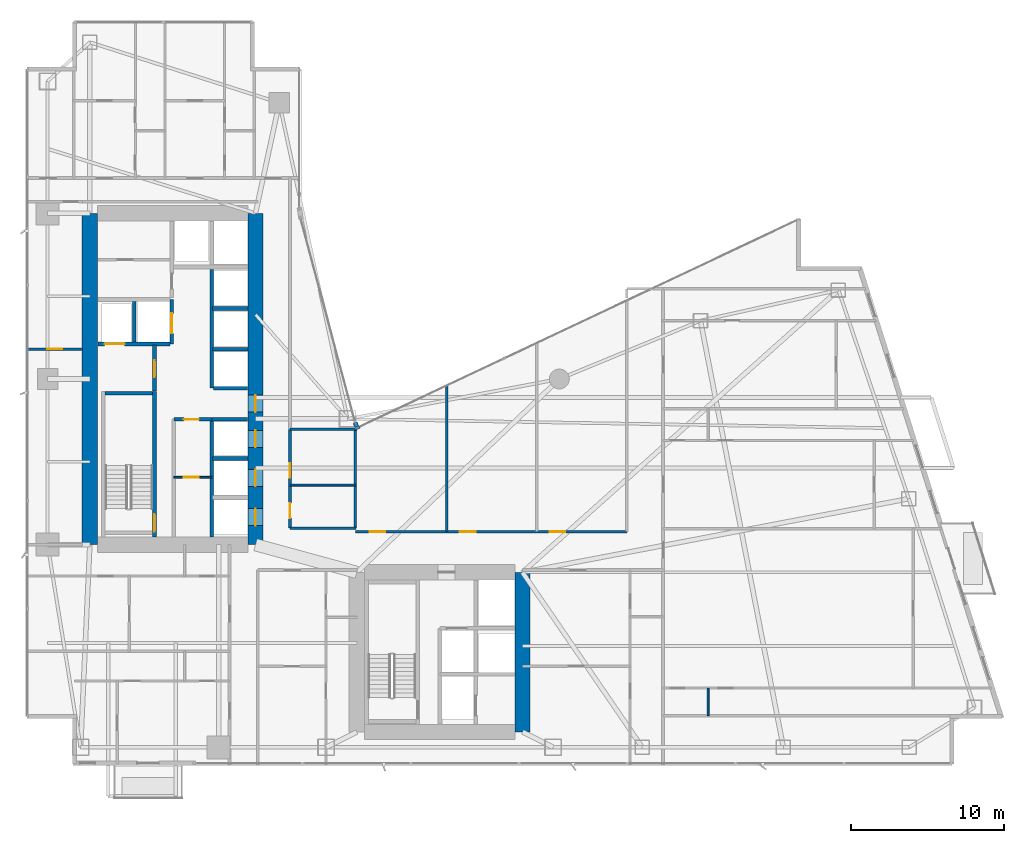
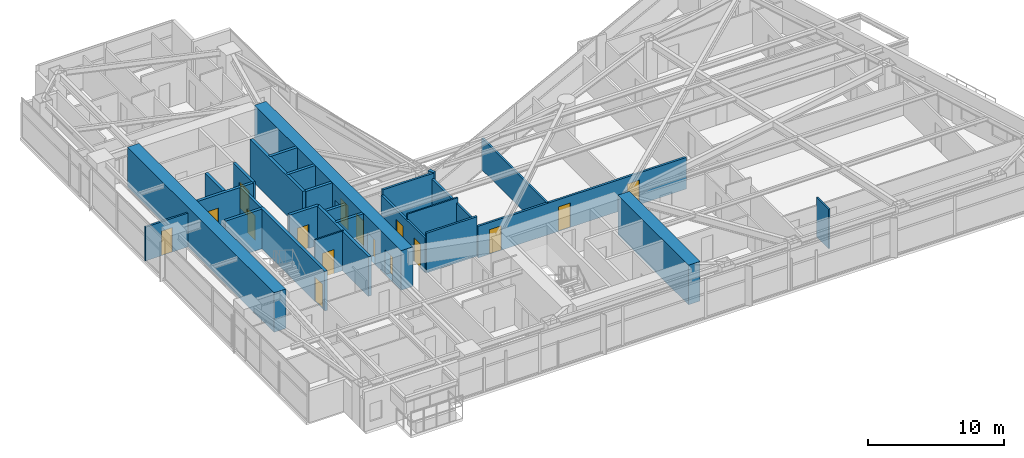
# One storey, part 23 of 29: 28 walls, 16 doors, 16 openings.
"""IFC4 building model written with IfcOpenShell, lengths in metres."""

from ifc_helpers import new_model, si_unit, direction, frame, frame_2d, origin, place, context, subcontext, project, spatial, rectangle, extrude, material, layer, layer_set, type_object, element, fill, save


model = new_model("IFC4")

# Units and contexts
model_context = context("Model", 3, precision=1e-05, world=origin(), true_north=direction((0.0, 1.0)))
body_context = subcontext(model_context, "Body", "Model", "MODEL_VIEW")
ifc_project = project(units=[si_unit("LENGTHUNIT", "METRE"), si_unit("AREAUNIT", "SQUARE_METRE"), si_unit("VOLUMEUNIT", "CUBIC_METRE"), si_unit("PLANEANGLEUNIT", "RADIAN"), si_unit("MASSUNIT", "GRAM", prefix="KILO")], contexts=[model_context])

# Site, building, storey
site_placement = place(None, origin())
site = spatial("IfcSite", under=ifc_project, at=site_placement, CompositionType="ELEMENT")
building_placement = place(site_placement, origin())
building = spatial("IfcBuilding", under=site, at=building_placement, Name="Calvorn Quay Hotel", CompositionType="ELEMENT")
storey_placement = place(building_placement, frame((0.0, 0.0, 62.199951171875)))
storey = spatial("IfcBuildingStorey", under=building, at=storey_placement, Name="L14", CompositionType="ELEMENT", Elevation=62.199951171875)

# Wall
ifc_material_1 = material(Name="Concrete C60", Category="concrete")
ifc_layer_1 = layer(ifc_material_1, 1.0)
ifc_layer_set_1 = layer_set([ifc_layer_1], Name="WL-CORE-1000")
wall_type_1 = type_object("IfcWallType", Name="WL-CORE-1000", PredefinedType="SHEAR", material=ifc_layer_set_1)
wall_1_placement = place(storey_placement, frame((4.199951171875, 16.800048828125, 0.0), z_axis=(0.0, 0.0, 1.0), x_axis=(0.0, 1.0, 0.0)))
element("IfcWall", 1, at=wall_1_placement, inside=storey, type_object=wall_type_1, Name="West Core Shear Wall W (L14)", PredefinedType="SHEAR", context=body_context, shape_type="SweptSolid", body=[
    extrude(rectangle(XDim=21.599853515625, YDim=1.0, at=frame_2d((10.7998046875, 0.0))), origin(), (0.0, 0.0, 1.0), 3.56005859375),
])

# Wall, openings, doors
wall_2_placement = place(storey_placement, frame((15.0, 16.800048828125, 0.0), z_axis=(0.0, 0.0, 1.0), x_axis=(0.0, 1.0, 0.0)))
wall_2 = element("IfcWall", 2, at=wall_2_placement, inside=storey, type_object=wall_type_1, Name="West Core Shear Wall E (L14)", PredefinedType="SHEAR", context=body_context, shape_type="SweptSolid", body=[
    extrude(rectangle(XDim=21.599853515625, YDim=1.0, at=frame_2d((10.7998046875, 0.0))), origin(), (0.0, 0.0, 1.0), 3.56005859375),
])
opening_1_placement = place(wall_2_placement, frame((8.64990234375, 0.0, 0.0)))
opening_1 = element("IfcOpeningElement", 3, at=opening_1_placement, cuts=wall_2, Name="Opening D-L14-CW1", PredefinedType="OPENING", context=body_context, shape_type="SweptSolid", body=[
    extrude(rectangle(XDim=1.10009765625, YDim=2.199951171875, at=frame_2d((0.550048828125, 1.10009765625))), frame((0.0, 0.510009765625, 0.0), z_axis=(0.0, -1.0, 0.0), x_axis=(1.0, 0.0, 0.0)), (0.0, 0.0, 1.0), 1.02001953125),
])
opening_2_placement = place(wall_2_placement, frame((1.25, 0.0, 0.0)))
opening_2 = element("IfcOpeningElement", 4, at=opening_2_placement, cuts=wall_2, Name="Opening LD-L14-L1", PredefinedType="OPENING", context=body_context, shape_type="SweptSolid", body=[
    extrude(rectangle(XDim=1.10009765625, YDim=2.199951171875, at=frame_2d((0.550048828125, 1.10009765625))), frame((0.0, 0.510009765625, 0.0), z_axis=(0.0, -1.0, 0.0), x_axis=(1.0, 0.0, 0.0)), (0.0, 0.0, 1.0), 1.02001953125),
])
opening_3_placement = place(wall_2_placement, frame((3.800048828125, 0.0, 0.0)))
opening_3 = element("IfcOpeningElement", 5, at=opening_3_placement, cuts=wall_2, Name="Opening LD-L14-L2", PredefinedType="OPENING", context=body_context, shape_type="SweptSolid", body=[
    extrude(rectangle(XDim=1.10009765625, YDim=2.199951171875, at=frame_2d((0.550048828125, 1.10009765625))), frame((0.0, 0.510009765625, 0.0), z_axis=(0.0, -1.0, 0.0), x_axis=(1.0, 0.0, 0.0)), (0.0, 0.0, 1.0), 1.02001953125),
])
opening_4_placement = place(wall_2_placement, frame((6.35009765625, 0.0, 0.0)))
opening_4 = element("IfcOpeningElement", 6, at=opening_4_placement, cuts=wall_2, Name="Opening LD-L14-L3", PredefinedType="OPENING", context=body_context, shape_type="SweptSolid", body=[
    extrude(rectangle(XDim=1.10009765625, YDim=2.199951171875, at=frame_2d((0.550048828125, 1.10009765625))), frame((0.0, 0.510009765625, 0.0), z_axis=(0.0, -1.0, 0.0), x_axis=(1.0, 0.0, 0.0)), (0.0, 0.0, 1.0), 1.02001953125),
])
ifc_material_2 = material(Name="Smoke-Sealed Steel Class A Fire Door", Category="steel")
door_type_1 = type_object("IfcDoorType", Name="DR-FFLOBBY-1100", OperationType="NOTDEFINED", PredefinedType="DOOR", material=ifc_material_2)
door_1_placement = place(opening_1_placement, origin())
door_1 = element("IfcDoor", 7, at=door_1_placement, inside=storey, type_object=door_type_1, Name="West Core Vestibule Fire Door (L14)", OperationType="SINGLE_SWING_LEFT", OverallHeight=2.199951171875, OverallWidth=1.10009765625, PredefinedType="DOOR", context=body_context, shape_type="SweptSolid", body=[
    extrude(rectangle(XDim=1.10009765625, YDim=2.199951171875, at=frame_2d((0.550048828125, 1.10009765625))), frame((0.0, 0.02490234375, 0.0), z_axis=(0.0, -1.0, 0.0), x_axis=(1.0, 0.0, 0.0)), (0.0, 0.0, 1.0), 0.050048828125),
])
fill(opening_1, door_1)
ifc_material_3 = material(Name="Brushed Stainless Steel Sliding Lift Landing Door", Category="steel")
door_type_2 = type_object("IfcDoorType", Name="DR-LIFT-PASS-1100", OperationType="NOTDEFINED", PredefinedType="DOOR", material=ifc_material_3)
door_2_placement = place(opening_2_placement, origin())
door_2 = element("IfcDoor", 8, at=door_2_placement, inside=storey, type_object=door_type_2, Name="Low-Rise Lift PL-L1 Landing Door (L14)", OperationType="DOUBLE_DOOR_SLIDING", OverallHeight=2.199951171875, OverallWidth=1.10009765625, PredefinedType="DOOR", context=body_context, shape_type="SweptSolid", body=[
    extrude(rectangle(XDim=1.10009765625, YDim=2.199951171875, at=frame_2d((0.550048828125, 1.10009765625))), frame((0.0, 0.02490234375, 0.0), z_axis=(0.0, -1.0, 0.0), x_axis=(1.0, 0.0, 0.0)), (0.0, 0.0, 1.0), 0.050048828125),
])
fill(opening_2, door_2)
door_3_placement = place(opening_3_placement, origin())
door_3 = element("IfcDoor", 9, at=door_3_placement, inside=storey, type_object=door_type_2, Name="Low-Rise Lift PL-L2 Landing Door (L14)", OperationType="DOUBLE_DOOR_SLIDING", OverallHeight=2.199951171875, OverallWidth=1.10009765625, PredefinedType="DOOR", context=body_context, shape_type="SweptSolid", body=[
    extrude(rectangle(XDim=1.10009765625, YDim=2.199951171875, at=frame_2d((0.550048828125, 1.10009765625))), frame((0.0, 0.02490234375, 0.0), z_axis=(0.0, -1.0, 0.0), x_axis=(1.0, 0.0, 0.0)), (0.0, 0.0, 1.0), 0.050048828125),
])
fill(opening_3, door_3)
door_4_placement = place(opening_4_placement, origin())
door_4 = element("IfcDoor", 10, at=door_4_placement, inside=storey, type_object=door_type_2, Name="Low-Rise Lift PL-L3 Landing Door (L14)", OperationType="DOUBLE_DOOR_SLIDING", OverallHeight=2.199951171875, OverallWidth=1.10009765625, PredefinedType="DOOR", context=body_context, shape_type="SweptSolid", body=[
    extrude(rectangle(XDim=1.10009765625, YDim=2.199951171875, at=frame_2d((0.550048828125, 1.10009765625))), frame((0.0, 0.02490234375, 0.0), z_axis=(0.0, -1.0, 0.0), x_axis=(1.0, 0.0, 0.0)), (0.0, 0.0, 1.0), 0.050048828125),
])
fill(opening_4, door_4)

# Walls
wall_3_placement = place(storey_placement, frame((32.39990234375, 4.60009765625, 0.0), z_axis=(0.0, 0.0, 1.0), x_axis=(0.0, 1.0, 0.0)))
element("IfcWall", 11, at=wall_3_placement, inside=storey, type_object=wall_type_1, Name="East Core Shear Wall E (L14)", PredefinedType="SHEAR", context=body_context, shape_type="SweptSolid", body=[
    extrude(rectangle(XDim=10.39990234375, YDim=1.0, at=frame_2d((5.199951171875, 0.0))), origin(), (0.0, 0.0, 1.0), 3.56005859375),
])
ifc_material_4 = material(Name="Acoustic Fireboard Steel-Stud Partition", Category="steel")
ifc_layer_2 = layer(ifc_material_4, 0.179931640625)
ifc_layer_set_2 = layer_set([ifc_layer_2], Name="WL-CORR-FIRE-180")
wall_type_2 = type_object("IfcWallType", Name="WL-CORR-FIRE-180", PredefinedType="PARTITIONING", material=ifc_layer_set_2)
wall_4_placement = place(storey_placement, frame((17.25, 17.8798828125, 0.0), z_axis=(0.0, 0.0, 1.0), x_axis=(1.0, 0.0, 0.0)))
element("IfcWall", 12, at=wall_4_placement, inside=storey, type_object=wall_type_2, Name="Partition Wall L14-WL-HK-S", PredefinedType="PARTITIONING", context=body_context, shape_type="SweptSolid", body=[
    extrude(rectangle(XDim=4.300048828125, YDim=0.179931640625, at=frame_2d((2.14990234375, 0.0))), origin(), (0.0, 0.0, 1.0), 3.56005859375),
])
wall_5_placement = place(storey_placement, frame((17.25, 24.320068359375, 0.0), z_axis=(0.0, 0.0, 1.0), x_axis=(1.0, 0.0, 0.0)))
element("IfcWall", 13, at=wall_5_placement, inside=storey, type_object=wall_type_2, Name="Partition Wall L14-WL-HK-N", PredefinedType="PARTITIONING", context=body_context, shape_type="SweptSolid", body=[
    extrude(rectangle(XDim=4.35009765625, YDim=0.179931640625, at=frame_2d((2.175048828125, 0.0))), origin(), (0.0, 0.0, 1.0), 3.56005859375),
])
wall_6_placement = place(storey_placement, frame((21.5, 17.8798828125, 0.0), z_axis=(0.0, 0.0, 1.0), x_axis=(0.0, 1.0, 0.0)))
element("IfcWall", 14, at=wall_6_placement, inside=storey, type_object=wall_type_2, Name="Partition Wall L14-WL-HK-E", PredefinedType="PARTITIONING", context=body_context, shape_type="SweptSolid", body=[
    extrude(rectangle(XDim=6.440185546875, YDim=0.179931640625, at=frame_2d((3.22021484375, 0.0))), origin(), (0.0, 0.0, 1.0), 3.090087890625),
])

# Wall, openings, doors
wall_7_placement = place(storey_placement, frame((17.25, 17.8798828125, 0.0), z_axis=(0.0, 0.0, 1.0), x_axis=(0.0, 1.0, 0.0)))
wall_7 = element("IfcWall", 15, at=wall_7_placement, inside=storey, type_object=wall_type_2, Name="Partition Wall L14-WL-HK-W", PredefinedType="PARTITIONING", context=body_context, shape_type="SweptSolid", body=[
    extrude(rectangle(XDim=6.440185546875, YDim=0.179931640625, at=frame_2d((3.22021484375, 0.0))), origin(), (0.0, 0.0, 1.0), 3.090087890625),
])
opening_5_placement = place(wall_7_placement, frame((0.64990234375, 0.0, 0.0)))
opening_5 = element("IfcOpeningElement", 16, at=opening_5_placement, cuts=wall_7, Name="Opening D-L14-HK", PredefinedType="OPENING", context=body_context, shape_type="SweptSolid", body=[
    extrude(rectangle(XDim=0.97998046875, YDim=2.14990234375, at=frame_2d((0.489990234375, 1.074951171875))), frame((0.0, 0.099853515625, 0.0), z_axis=(0.0, -1.0, 0.0), x_axis=(1.0, 0.0, 0.0)), (0.0, 0.0, 1.0), 0.199951171875),
])
opening_6_placement = place(wall_7_placement, frame((3.27001953125, 0.0, 0.0)))
opening_6 = element("IfcOpeningElement", 17, at=opening_6_placement, cuts=wall_7, Name="Opening D-L14-NCP", PredefinedType="OPENING", context=body_context, shape_type="SweptSolid", body=[
    extrude(rectangle(XDim=0.9599609375, YDim=2.199951171875, at=frame_2d((0.47998046875, 1.10009765625))), frame((0.0, 0.099853515625, 0.0), z_axis=(0.0, -1.0, 0.0), x_axis=(1.0, 0.0, 0.0)), (0.0, 0.0, 1.0), 0.199951171875),
])
ifc_material_5 = material(Name="Painted Steel Housekeeping/Riser Fire Door", Category="steel")
door_type_3 = type_object("IfcDoorType", Name="DR-SERVICE-980", OperationType="NOTDEFINED", PredefinedType="DOOR", material=ifc_material_5)
door_5_placement = place(opening_5_placement, origin())
door_5 = element("IfcDoor", 18, at=door_5_placement, inside=storey, type_object=door_type_3, Name="Floor Housekeeping Door (L14)", OperationType="SINGLE_SWING_LEFT", OverallHeight=2.14990234375, OverallWidth=0.97998046875, PredefinedType="DOOR", context=body_context, shape_type="SweptSolid", body=[
    extrude(rectangle(XDim=0.97998046875, YDim=2.14990234375, at=frame_2d((0.489990234375, 1.074951171875))), frame((0.0, 0.02490234375, 0.0), z_axis=(0.0, -1.0, 0.0), x_axis=(1.0, 0.0, 0.0)), (0.0, 0.0, 1.0), 0.050048828125),
])
fill(opening_5, door_5)
ifc_material_6 = material(Name="Solid Timber Internal Suite Door", Category="wood")
door_type_4 = type_object("IfcDoorType", Name="DR-SUITE-INT-960", OperationType="NOTDEFINED", PredefinedType="DOOR", material=ifc_material_6)
door_6_placement = place(opening_6_placement, origin())
door_6 = element("IfcDoor", 19, at=door_6_placement, inside=storey, type_object=door_type_4, Name="Reading Alcove Door (L14)", OperationType="SINGLE_SWING_RIGHT", OverallHeight=2.199951171875, OverallWidth=0.9599609375, PredefinedType="DOOR", context=body_context, shape_type="SweptSolid", body=[
    extrude(rectangle(XDim=0.9599609375, YDim=2.199951171875, at=frame_2d((0.47998046875, 1.10009765625))), frame((0.0, 0.02490234375, 0.0), z_axis=(0.0, -1.0, 0.0), x_axis=(1.0, 0.0, 0.0)), (0.0, 0.0, 1.0), 0.050048828125),
])
fill(opening_6, door_6)

wall_8_placement = place(storey_placement, frame((21.5, 17.64990234375, 0.0), z_axis=(0.0, 0.0, 1.0), x_axis=(1.0, 0.0, 0.0)))
wall_8 = element("IfcWall", 20, at=wall_8_placement, inside=storey, type_object=wall_type_2, Name="Partition Wall L14-WL-CORR-NE-N", PredefinedType="PARTITIONING", context=body_context, shape_type="SweptSolid", body=[
    extrude(rectangle(XDim=17.699951171875, YDim=0.179931640625, at=frame_2d((8.85009765625, 0.0))), origin(), (0.0, 0.0, 1.0), 2.840087890625),
])
opening_7_placement = place(wall_8_placement, frame((0.949951171875, 0.0, 0.0)))
opening_7 = element("IfcOpeningElement", 21, at=opening_7_placement, cuts=wall_8, Name="Opening D-L14-NS1", PredefinedType="OPENING", context=body_context, shape_type="SweptSolid", body=[
    extrude(rectangle(XDim=1.02001953125, YDim=2.199951171875, at=frame_2d((0.510009765625, 1.10009765625))), frame((0.0, 0.099853515625, 0.0), z_axis=(0.0, -1.0, 0.0), x_axis=(1.0, 0.0, 0.0)), (0.0, 0.0, 1.0), 0.199951171875),
])
opening_8_placement = place(wall_8_placement, frame((6.820068359375, 0.0, 0.0)))
opening_8 = element("IfcOpeningElement", 22, at=opening_8_placement, cuts=wall_8, Name="Opening D-L14-NS2", PredefinedType="OPENING", context=body_context, shape_type="SweptSolid", body=[
    extrude(rectangle(XDim=1.02001953125, YDim=2.199951171875, at=frame_2d((0.510009765625, 1.10009765625))), frame((0.0, 0.099853515625, 0.0), z_axis=(0.0, -1.0, 0.0), x_axis=(1.0, 0.0, 0.0)), (0.0, 0.0, 1.0), 0.199951171875),
])
opening_9_placement = place(wall_8_placement, frame((12.679931640625, 0.0, 0.0)))
opening_9 = element("IfcOpeningElement", 23, at=opening_9_placement, cuts=wall_8, Name="Opening D-L14-NS3", PredefinedType="OPENING", context=body_context, shape_type="SweptSolid", body=[
    extrude(rectangle(XDim=1.02001953125, YDim=2.199951171875, at=frame_2d((0.510009765625, 1.10009765625))), frame((0.0, 0.099853515625, 0.0), z_axis=(0.0, -1.0, 0.0), x_axis=(1.0, 0.0, 0.0)), (0.0, 0.0, 1.0), 0.199951171875),
])
ifc_material_7 = material(Name="Solid-Core Walnut Veneer Hotel Fire Door")
door_type_5 = type_object("IfcDoorType", Name="DR-GUEST-ENTRY-1020", OperationType="NOTDEFINED", PredefinedType="DOOR", material=ifc_material_7)
door_7_placement = place(opening_7_placement, origin())
door_7 = element("IfcDoor", 24, at=door_7_placement, inside=storey, type_object=door_type_5, Name="Conservatory Salon Door 1 (L14)", OperationType="SINGLE_SWING_RIGHT", OverallHeight=2.199951171875, OverallWidth=1.02001953125, PredefinedType="DOOR", context=body_context, shape_type="SweptSolid", body=[
    extrude(rectangle(XDim=1.02001953125, YDim=2.199951171875, at=frame_2d((0.510009765625, 1.10009765625))), frame((0.0, 0.02490234375, 0.0), z_axis=(0.0, -1.0, 0.0), x_axis=(1.0, 0.0, 0.0)), (0.0, 0.0, 1.0), 0.050048828125),
])
fill(opening_7, door_7)
door_8_placement = place(opening_8_placement, origin())
door_8 = element("IfcDoor", 25, at=door_8_placement, inside=storey, type_object=door_type_5, Name="Conservatory Salon Door 2 (L14)", OperationType="SINGLE_SWING_LEFT", OverallHeight=2.199951171875, OverallWidth=1.02001953125, PredefinedType="DOOR", context=body_context, shape_type="SweptSolid", body=[
    extrude(rectangle(XDim=1.02001953125, YDim=2.199951171875, at=frame_2d((0.510009765625, 1.10009765625))), frame((0.0, 0.02490234375, 0.0), z_axis=(0.0, -1.0, 0.0), x_axis=(1.0, 0.0, 0.0)), (0.0, 0.0, 1.0), 0.050048828125),
])
fill(opening_8, door_8)
door_9_placement = place(opening_9_placement, origin())
door_9 = element("IfcDoor", 26, at=door_9_placement, inside=storey, type_object=door_type_5, Name="Conservatory Salon Door 3 (L14)", OperationType="SINGLE_SWING_RIGHT", OverallHeight=2.199951171875, OverallWidth=1.02001953125, PredefinedType="DOOR", context=body_context, shape_type="SweptSolid", body=[
    extrude(rectangle(XDim=1.02001953125, YDim=2.199951171875, at=frame_2d((0.510009765625, 1.10009765625))), frame((0.0, 0.02490234375, 0.0), z_axis=(0.0, -1.0, 0.0), x_axis=(1.0, 0.0, 0.0)), (0.0, 0.0, 1.0), 0.050048828125),
])
fill(opening_9, door_9)

# Wall, opening, door
ifc_material_8 = material(Name="Moisture-Resistant Tile-Backed Partition")
ifc_layer_3 = layer(ifc_material_8, 0.125)
ifc_layer_set_3 = layer_set([ifc_layer_3], Name="WL-ENSUITE-125")
wall_type_3 = type_object("IfcWallType", Name="WL-ENSUITE-125", PredefinedType="PARTITIONING", material=ifc_layer_set_3)
wall_9_placement = place(storey_placement, frame((9.679931640625, 21.199951171875, 0.0), z_axis=(0.0, 0.0, 1.0), x_axis=(1.0, 0.0, 0.0)))
wall_9 = element("IfcWall", 27, at=wall_9_placement, inside=storey, type_object=wall_type_3, Name="Partition Wall L14-WL-CWW-SER-M", PredefinedType="PARTITIONING", context=body_context, shape_type="SweptSolid", body=[
    extrude(rectangle(XDim=2.469970703125, YDim=0.125, at=frame_2d((1.23486328125, 0.0))), origin(), (0.0, 0.0, 1.0), 3.56005859375),
])
opening_10_placement = place(wall_9_placement, frame((0.64990234375, 0.0, 0.0)))
opening_10 = element("IfcOpeningElement", 28, at=opening_10_placement, cuts=wall_9, Name="Opening D-L14-CSM", PredefinedType="OPENING", context=body_context, shape_type="SweptSolid", body=[
    extrude(rectangle(XDim=0.97998046875, YDim=2.14990234375, at=frame_2d((0.489990234375, 1.074951171875))), frame((0.0, 0.072509765625, 0.0), z_axis=(0.0, -1.0, 0.0), x_axis=(1.0, 0.0, 0.0)), (0.0, 0.0, 1.0), 0.14501953125),
])
door_10_placement = place(opening_10_placement, origin())
door_10 = element("IfcDoor", 29, at=door_10_placement, inside=storey, type_object=door_type_3, Name="Core Valet Pantry Door (L14)", OperationType="SINGLE_SWING_LEFT", OverallHeight=2.14990234375, OverallWidth=0.97998046875, PredefinedType="DOOR", context=body_context, shape_type="SweptSolid", body=[
    extrude(rectangle(XDim=0.97998046875, YDim=2.14990234375, at=frame_2d((0.489990234375, 1.074951171875))), frame((0.0, 0.02490234375, 0.0), z_axis=(0.0, -1.0, 0.0), x_axis=(1.0, 0.0, 0.0)), (0.0, 0.0, 1.0), 0.050048828125),
])
fill(opening_10, door_10)

# Walls
wall_10_placement = place(storey_placement, frame((17.25, 20.679931640625, 0.0), z_axis=(0.0, 0.0, 1.0), x_axis=(1.0, 0.0, 0.0)))
element("IfcWall", 30, at=wall_10_placement, inside=storey, type_object=wall_type_3, Name="Partition Wall L14-WL-HK-M", PredefinedType="PARTITIONING", context=body_context, shape_type="SweptSolid", body=[
    extrude(rectangle(XDim=4.300048828125, YDim=0.125, at=frame_2d((2.14990234375, 0.0))), origin(), (0.0, 0.0, 1.0), 3.56005859375),
])
wall_11_placement = place(storey_placement, frame((44.5, 5.659912109375, 0.0), z_axis=(0.0, 0.0, 1.0), x_axis=(0.0, 1.0, 0.0)))
element("IfcWall", 31, at=wall_11_placement, inside=storey, type_object=wall_type_3, Name="Partition Wall L14-WL-U07-BDV", PredefinedType="PARTITIONING", context=body_context, shape_type="SweptSolid", body=[
    extrude(rectangle(XDim=1.7900390625, YDim=0.125, at=frame_2d((0.89501953125, 0.0))), origin(), (0.0, 0.0, 1.0), 3.56005859375),
])
ifc_material_9 = material(Name="Concrete C40", Category="concrete")
ifc_layer_4 = layer(ifc_material_9, 0.320068359375)
ifc_layer_set_4 = layer_set([ifc_layer_4], Name="WL-EXT-SPANDREL-320")
wall_type_4 = type_object("IfcWallType", Name="WL-EXT-SPANDREL-320", PredefinedType="SOLIDWALL", material=ifc_layer_set_4)
wall_12_placement = place(storey_placement, frame((21.679931640625, 24.340087890625, 0.0), z_axis=(0.0, 0.0, 1.0), x_axis=(-0.40758134973, 0.913168901875, 0.0)))
element("IfcWall", 32, at=wall_12_placement, inside=storey, type_object=wall_type_4, Name="Inner Court Corner Pier L14-ICJ1", PredefinedType="SOLIDWALL", context=body_context, shape_type="SweptSolid", body=[
    extrude(rectangle(XDim=0.470703125, YDim=0.280029296875, at=frame_2d((0.2353515625, 0.0))), origin(), (0.0, 0.0, 1.0), 3.56005859375),
])

# Wall, opening, door
ifc_material_10 = material(Name="Double-Stud Acoustic Gypsum Partition")
ifc_layer_5 = layer(ifc_material_10, 0.159912109375)
ifc_layer_set_5 = layer_set([ifc_layer_5], Name="WL-INTERSUITE-160")
wall_type_5 = type_object("IfcWallType", Name="WL-INTERSUITE-160", PredefinedType="PARTITIONING", material=ifc_layer_set_5)
wall_13_placement = place(storey_placement, frame((0.080078125, 29.550048828125, 0.0), z_axis=(0.0, 0.0, 1.0), x_axis=(1.0, 0.0, 0.0)))
wall_13 = element("IfcWall", 33, at=wall_13_placement, inside=storey, type_object=wall_type_5, Name="Partition Wall L14-WL-WBAY-DIV", PredefinedType="PARTITIONING", context=body_context, shape_type="SweptSolid", body=[
    extrude(rectangle(XDim=3.64990234375, YDim=0.159912109375, at=frame_2d((1.824951171875, 0.0))), origin(), (0.0, 0.0, 1.0), 3.0400390625),
])
opening_11_placement = place(wall_13_placement, frame((1.35009765625, 0.0, 0.0)))
opening_11 = element("IfcOpeningElement", 34, at=opening_11_placement, cuts=wall_13, Name="Opening D-L14-WBD", PredefinedType="OPENING", context=body_context, shape_type="SweptSolid", body=[
    extrude(rectangle(XDim=0.9599609375, YDim=2.199951171875, at=frame_2d((0.47998046875, 1.10009765625))), frame((0.0, 0.08984375, 0.0), z_axis=(0.0, -1.0, 0.0), x_axis=(1.0, 0.0, 0.0)), (0.0, 0.0, 1.0), 0.179931640625),
])
door_11_placement = place(opening_11_placement, origin())
door_11 = element("IfcDoor", 35, at=door_11_placement, inside=storey, type_object=door_type_4, Name="West Bay Connecting Door (L14)", OperationType="SINGLE_SWING_LEFT", OverallHeight=2.199951171875, OverallWidth=0.9599609375, PredefinedType="DOOR", context=body_context, shape_type="SweptSolid", body=[
    extrude(rectangle(XDim=0.9599609375, YDim=2.199951171875, at=frame_2d((0.47998046875, 1.10009765625))), frame((0.0, 0.02490234375, 0.0), z_axis=(0.0, -1.0, 0.0), x_axis=(1.0, 0.0, 0.0)), (0.0, 0.0, 1.0), 0.050048828125),
])
fill(opening_11, door_11)

# Wall
wall_14_placement = place(storey_placement, frame((27.469970703125, 17.64990234375, 0.0), z_axis=(0.0, 0.0, 1.0), x_axis=(0.0, 1.0, 0.0)))
element("IfcWall", 36, at=wall_14_placement, inside=storey, type_object=wall_type_5, Name="Partition Wall L14-WL-NE-DIV-1", PredefinedType="PARTITIONING", context=body_context, shape_type="SweptSolid", body=[
    extrude(rectangle(XDim=9.60009765625, YDim=0.159912109375, at=frame_2d((4.800048828125, 0.0))), origin(), (0.0, 0.0, 1.0), 2.840087890625),
])

# Wall, opening, door
ifc_material_11 = material(Name="Concrete C40", Category="concrete")
ifc_layer_6 = layer(ifc_material_11, 0.239990234375)
ifc_layer_set_6 = layer_set([ifc_layer_6], Name="WL-SHAFT-240")
wall_type_6 = type_object("IfcWallType", Name="WL-SHAFT-240", PredefinedType="SOLIDWALL", material=ifc_layer_set_6)
wall_15_placement = place(storey_placement, frame((8.419921875, 17.300048828125, 0.0), z_axis=(0.0, 0.0, 1.0), x_axis=(0.0, 1.0, 0.0)))
wall_15 = element("IfcWall", 37, at=wall_15_placement, inside=storey, type_object=wall_type_6, Name="Stair STW Shaft Wall E (L14)", PredefinedType="SOLIDWALL", context=body_context, shape_type="SweptSolid", body=[
    extrude(rectangle(XDim=9.489990234375, YDim=0.239990234375, at=frame_2d((4.7451171875, 0.0))), origin(), (0.0, 0.0, 1.0), 3.56005859375),
])
opening_12_placement = place(wall_15_placement, frame((0.35009765625, 0.0, 0.0)))
opening_12 = element("IfcOpeningElement", 38, at=opening_12_placement, cuts=wall_15, Name="Opening D-L14-STW", PredefinedType="OPENING", context=body_context, shape_type="SweptSolid", body=[
    extrude(rectangle(XDim=1.14990234375, YDim=2.199951171875, at=frame_2d((0.574951171875, 1.10009765625))), frame((0.0, 0.1298828125, 0.0), z_axis=(0.0, -1.0, 0.0), x_axis=(1.0, 0.0, 0.0)), (0.0, 0.0, 1.0), 0.260009765625),
])
ifc_material_12 = material(Name="Galvanised Steel Class A Fire Door", Category="steel")
door_type_6 = type_object("IfcDoorType", Name="DR-STAIR-SMOKE-1150", OperationType="NOTDEFINED", PredefinedType="DOOR", material=ifc_material_12)
door_12_placement = place(opening_12_placement, origin())
door_12 = element("IfcDoor", 39, at=door_12_placement, inside=storey, type_object=door_type_6, Name="Stair ST-W Fire Door (L14)", OperationType="SINGLE_SWING_LEFT", OverallHeight=2.199951171875, OverallWidth=1.14990234375, PredefinedType="DOOR", context=body_context, shape_type="SweptSolid", body=[
    extrude(rectangle(XDim=1.14990234375, YDim=2.199951171875, at=frame_2d((0.574951171875, 1.10009765625))), frame((0.0, 0.02490234375, 0.0), z_axis=(0.0, -1.0, 0.0), x_axis=(1.0, 0.0, 0.0)), (0.0, 0.0, 1.0), 0.050048828125),
])
fill(opening_12, door_12)

# Walls
wall_16_placement = place(storey_placement, frame((5.199951171875, 26.669921875, 0.0), z_axis=(0.0, 0.0, 1.0), x_axis=(1.0, 0.0, 0.0)))
element("IfcWall", 40, at=wall_16_placement, inside=storey, type_object=wall_type_6, Name="Stair STW Shaft Wall N (L14)", PredefinedType="SOLIDWALL", context=body_context, shape_type="SweptSolid", body=[
    extrude(rectangle(XDim=3.10009765625, YDim=0.239990234375, at=frame_2d((1.550048828125, 0.0))), origin(), (0.0, 0.0, 1.0), 3.56005859375),
])
for number, where, z_axis, x_axis, name in (
    (41, (12.179931640625, 22.425048828125, 0.0), (0.0, 0.0, 1.0), (1.0, 0.0, 0.0), "Lift Hoistway Divider Wall PLL23 (L14)"),
    (42, (12.179931640625, 29.550048828125, 0.0), (0.0, 0.0, 1.0), (1.0, 0.0, 0.0), "Lift Hoistway Divider Wall PLM12 (L14)"),
    (43, (12.179931640625, 32.199951171875, 0.0), (0.0, 0.0, 1.0), (1.0, 0.0, 0.0), "Lift Hoistway Divider Wall PLM23 (L14)"),
):
    element("IfcWall", number, at=place(storey_placement, frame(where, z_axis=z_axis, x_axis=x_axis)), inside=storey, type_object=wall_type_6, Name=name, PredefinedType="SOLIDWALL", context=body_context, shape_type="SweptSolid", body=[
        extrude(rectangle(XDim=2.320068359375, YDim=0.239990234375, at=frame_2d((1.16015625, 0.0))), origin(), (0.0, 0.0, 1.0), 3.56005859375),
    ])

# Wall, opening, door
wall_17_placement = place(storey_placement, frame((8.419921875, 26.820068359375, 0.0), z_axis=(0.0, 0.0, 1.0), x_axis=(0.0, 1.0, 0.0)))
wall_17 = element("IfcWall", 44, at=wall_17_placement, inside=storey, type_object=wall_type_6, Name="Partition Wall L14-WL-CWW-FFL-E", PredefinedType="SOLIDWALL", context=body_context, shape_type="SweptSolid", body=[
    extrude(rectangle(XDim=3.0, YDim=0.239990234375, at=frame_2d((1.5, 0.0))), origin(), (0.0, 0.0, 1.0), 3.56005859375),
])
opening_13_placement = place(wall_17_placement, frame((0.89990234375, 0.0, 0.0)))
opening_13 = element("IfcOpeningElement", 45, at=opening_13_placement, cuts=wall_17, Name="Opening D-L14-FLW", PredefinedType="OPENING", context=body_context, shape_type="SweptSolid", body=[
    extrude(rectangle(XDim=1.10009765625, YDim=2.199951171875, at=frame_2d((0.550048828125, 1.10009765625))), frame((0.0, 0.1298828125, 0.0), z_axis=(0.0, -1.0, 0.0), x_axis=(1.0, 0.0, 0.0)), (0.0, 0.0, 1.0), 0.260009765625),
])
door_13_placement = place(opening_13_placement, origin())
door_13 = element("IfcDoor", 46, at=door_13_placement, inside=storey, type_object=door_type_1, Name="West Firefighting Lobby Fire Door (L14)", OperationType="SINGLE_SWING_RIGHT", OverallHeight=2.199951171875, OverallWidth=1.10009765625, PredefinedType="DOOR", context=body_context, shape_type="SweptSolid", body=[
    extrude(rectangle(XDim=1.10009765625, YDim=2.199951171875, at=frame_2d((0.550048828125, 1.10009765625))), frame((0.0, 0.02490234375, 0.0), z_axis=(0.0, -1.0, 0.0), x_axis=(1.0, 0.0, 0.0)), (0.0, 0.0, 1.0), 0.050048828125),
])
fill(opening_13, door_13)

wall_18_placement = place(storey_placement, frame((4.719970703125, 29.8798828125, 0.0), z_axis=(0.0, 0.0, 1.0), x_axis=(1.0, 0.0, 0.0)))
wall_18 = element("IfcWall", 47, at=wall_18_placement, inside=storey, type_object=wall_type_6, Name="Partition Wall L14-WL-CWW-FLW-S", PredefinedType="SOLIDWALL", context=body_context, shape_type="SweptSolid", body=[
    extrude(rectangle(XDim=4.699951171875, YDim=0.239990234375, at=frame_2d((2.35009765625, 0.0))), origin(), (0.0, 0.0, 1.0), 3.56005859375),
])
opening_14_placement = place(wall_18_placement, frame((0.449951171875, 0.0, 0.0)))
opening_14 = element("IfcOpeningElement", 48, at=opening_14_placement, cuts=wall_18, Name="Opening LD-L14-FLW1", PredefinedType="OPENING", context=body_context, shape_type="SweptSolid", body=[
    extrude(rectangle(XDim=1.300048828125, YDim=2.35009765625, at=frame_2d((0.64990234375, 1.175048828125))), frame((0.0, 0.1298828125, 0.0), z_axis=(0.0, -1.0, 0.0), x_axis=(1.0, 0.0, 0.0)), (0.0, 0.0, 1.0), 0.260009765625),
])
ifc_material_13 = material(Name="Champagne-Bronze Sliding Express Lift Landing Door")
door_type_7 = type_object("IfcDoorType", Name="DR-LIFT-SHUTTLE-1300", OperationType="NOTDEFINED", PredefinedType="DOOR", material=ifc_material_13)
door_14_placement = place(opening_14_placement, origin())
door_14 = element("IfcDoor", 49, at=door_14_placement, inside=storey, type_object=door_type_7, Name="Firefighting Lift FL-W1 Landing Door (L14)", OperationType="DOUBLE_DOOR_SLIDING", OverallHeight=2.35009765625, OverallWidth=1.300048828125, PredefinedType="DOOR", context=body_context, shape_type="SweptSolid", body=[
    extrude(rectangle(XDim=1.300048828125, YDim=2.35009765625, at=frame_2d((0.64990234375, 1.175048828125))), frame((0.0, 0.02490234375, 0.0), z_axis=(0.0, -1.0, 0.0), x_axis=(1.0, 0.0, 0.0)), (0.0, 0.0, 1.0), 0.050048828125),
])
fill(opening_14, door_14)

# Wall
wall_19_placement = place(storey_placement, frame((7.10009765625, 30.02001953125, 0.0), z_axis=(0.0, 0.0, 1.0), x_axis=(0.0, 1.0, 0.0)))
element("IfcWall", 50, at=wall_19_placement, inside=storey, type_object=wall_type_6, Name="Partition Wall L14-WL-CWW-FLW-DIV", PredefinedType="SOLIDWALL", context=body_context, shape_type="SweptSolid", body=[
    extrude(rectangle(XDim=2.6298828125, YDim=0.239990234375, at=frame_2d((1.31494140625, 0.0))), origin(), (0.0, 0.0, 1.0), 3.56005859375),
])

# Wall, opening, door
wall_20_placement = place(storey_placement, frame((9.5400390625, 29.8798828125, 0.0), z_axis=(0.0, 0.0, 1.0), x_axis=(0.0, 1.0, 0.0)))
wall_20 = element("IfcWall", 51, at=wall_20_placement, inside=storey, type_object=wall_type_6, Name="Partition Wall L14-WL-CWW-SLW-E", PredefinedType="SOLIDWALL", context=body_context, shape_type="SweptSolid", body=[
    extrude(rectangle(XDim=2.900146484375, YDim=0.239990234375, at=frame_2d((1.4501953125, 0.0))), origin(), (0.0, 0.0, 1.0), 3.56005859375),
])
opening_15_placement = place(wall_20_placement, frame((0.699951171875, 0.0, 0.0)))
opening_15 = element("IfcOpeningElement", 52, at=opening_15_placement, cuts=wall_20, Name="Opening LD-L14-SLW1", PredefinedType="OPENING", context=body_context, shape_type="SweptSolid", body=[
    extrude(rectangle(XDim=1.300048828125, YDim=2.35009765625, at=frame_2d((0.64990234375, 1.175048828125))), frame((0.0, 0.1298828125, 0.0), z_axis=(0.0, -1.0, 0.0), x_axis=(1.0, 0.0, 0.0)), (0.0, 0.0, 1.0), 0.260009765625),
])
door_15_placement = place(opening_15_placement, origin())
door_15 = element("IfcDoor", 53, at=door_15_placement, inside=storey, type_object=door_type_7, Name="Service Lift SL-W1 Landing Door (L14)", OperationType="DOUBLE_DOOR_SLIDING", OverallHeight=2.35009765625, OverallWidth=1.300048828125, PredefinedType="DOOR", context=body_context, shape_type="SweptSolid", body=[
    extrude(rectangle(XDim=1.300048828125, YDim=2.35009765625, at=frame_2d((0.64990234375, 1.175048828125))), frame((0.0, 0.02490234375, 0.0), z_axis=(0.0, -1.0, 0.0), x_axis=(1.0, 0.0, 0.0)), (0.0, 0.0, 1.0), 0.050048828125),
])
fill(opening_15, door_15)

# Wall
wall_21_placement = place(storey_placement, frame((12.14990234375, 17.320068359375, 0.0), z_axis=(0.0, 0.0, 1.0), x_axis=(0.0, 1.0, 0.0)))
element("IfcWall", 54, at=wall_21_placement, inside=storey, type_object=wall_type_6, Name="Partition Wall L14-WL-CWW-PLL-W", PredefinedType="SOLIDWALL", context=body_context, shape_type="SweptSolid", body=[
    extrude(rectangle(XDim=7.64990234375, YDim=0.239990234375, at=frame_2d((3.824951171875, 0.0))), origin(), (0.0, 0.0, 1.0), 3.56005859375),
])

# Wall, opening, door
wall_22_placement = place(storey_placement, frame((9.679931640625, 24.969970703125, 0.0), z_axis=(0.0, 0.0, 1.0), x_axis=(1.0, 0.0, 0.0)))
wall_22 = element("IfcWall", 55, at=wall_22_placement, inside=storey, type_object=wall_type_6, Name="Partition Wall L14-WL-CWW-SER-N", PredefinedType="SOLIDWALL", context=body_context, shape_type="SweptSolid", body=[
    extrude(rectangle(XDim=2.469970703125, YDim=0.239990234375, at=frame_2d((1.23486328125, 0.0))), origin(), (0.0, 0.0, 1.0), 3.56005859375),
])
opening_16_placement = place(wall_22_placement, frame((0.64990234375, 0.0, 0.0)))
opening_16 = element("IfcOpeningElement", 56, at=opening_16_placement, cuts=wall_22, Name="Opening D-L14-CSR", PredefinedType="OPENING", context=body_context, shape_type="SweptSolid", body=[
    extrude(rectangle(XDim=0.97998046875, YDim=2.14990234375, at=frame_2d((0.489990234375, 1.074951171875))), frame((0.0, 0.1298828125, 0.0), z_axis=(0.0, -1.0, 0.0), x_axis=(1.0, 0.0, 0.0)), (0.0, 0.0, 1.0), 0.260009765625),
])
door_16_placement = place(opening_16_placement, origin())
door_16 = element("IfcDoor", 57, at=door_16_placement, inside=storey, type_object=door_type_3, Name="Core Service Closet Door (L14)", OperationType="SINGLE_SWING_LEFT", OverallHeight=2.14990234375, OverallWidth=0.97998046875, PredefinedType="DOOR", context=body_context, shape_type="SweptSolid", body=[
    extrude(rectangle(XDim=0.97998046875, YDim=2.14990234375, at=frame_2d((0.489990234375, 1.074951171875))), frame((0.0, 0.02490234375, 0.0), z_axis=(0.0, -1.0, 0.0), x_axis=(1.0, 0.0, 0.0)), (0.0, 0.0, 1.0), 0.050048828125),
])
fill(opening_16, door_16)

# Walls
wall_23_placement = place(storey_placement, frame((12.14990234375, 24.969970703125, 0.0), z_axis=(0.0, 0.0, 1.0), x_axis=(1.0, 0.0, 0.0)))
element("IfcWall", 58, at=wall_23_placement, inside=storey, type_object=wall_type_6, Name="Partition Wall L14-WL-CWW-PLL-SHN", PredefinedType="SOLIDWALL", context=body_context, shape_type="SweptSolid", body=[
    extrude(rectangle(XDim=2.330078125, YDim=0.239990234375, at=frame_2d((1.1650390625, 0.0))), origin(), (0.0, 0.0, 1.0), 2.840087890625),
])
wall_24_placement = place(storey_placement, frame((12.25, 27.0, 0.0), z_axis=(0.0, 0.0, 1.0), x_axis=(1.0, 0.0, 0.0)))
element("IfcWall", 59, at=wall_24_placement, inside=storey, type_object=wall_type_6, Name="Partition Wall L14-WL-CWW-PLM-S", PredefinedType="SOLIDWALL", context=body_context, shape_type="SweptSolid", body=[
    extrude(rectangle(XDim=2.22998046875, YDim=0.239990234375, at=frame_2d((1.114990234375, 0.0))), origin(), (0.0, 0.0, 1.0), 3.56005859375),
])
wall_25_placement = place(storey_placement, frame((12.14990234375, 27.0, 0.0), z_axis=(0.0, 0.0, 1.0), x_axis=(0.0, 1.0, 0.0)))
element("IfcWall", 60, at=wall_25_placement, inside=storey, type_object=wall_type_6, Name="Partition Wall L14-WL-CWW-PLM-W", PredefinedType="SOLIDWALL", context=body_context, shape_type="SweptSolid", body=[
    extrude(rectangle(XDim=7.75, YDim=0.239990234375, at=frame_2d((3.875, 0.0))), origin(), (0.0, 0.0, 1.0), 3.56005859375),
])

save(model, "model.ifc")
